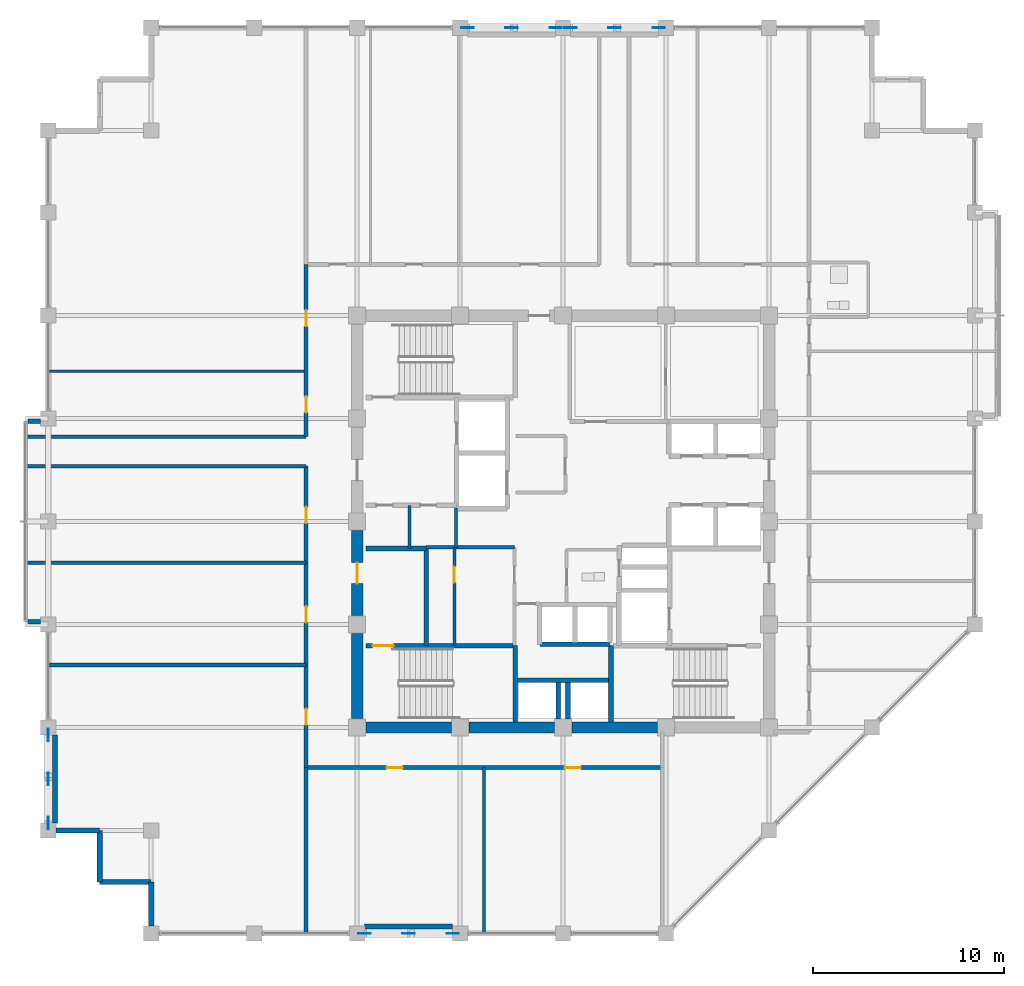
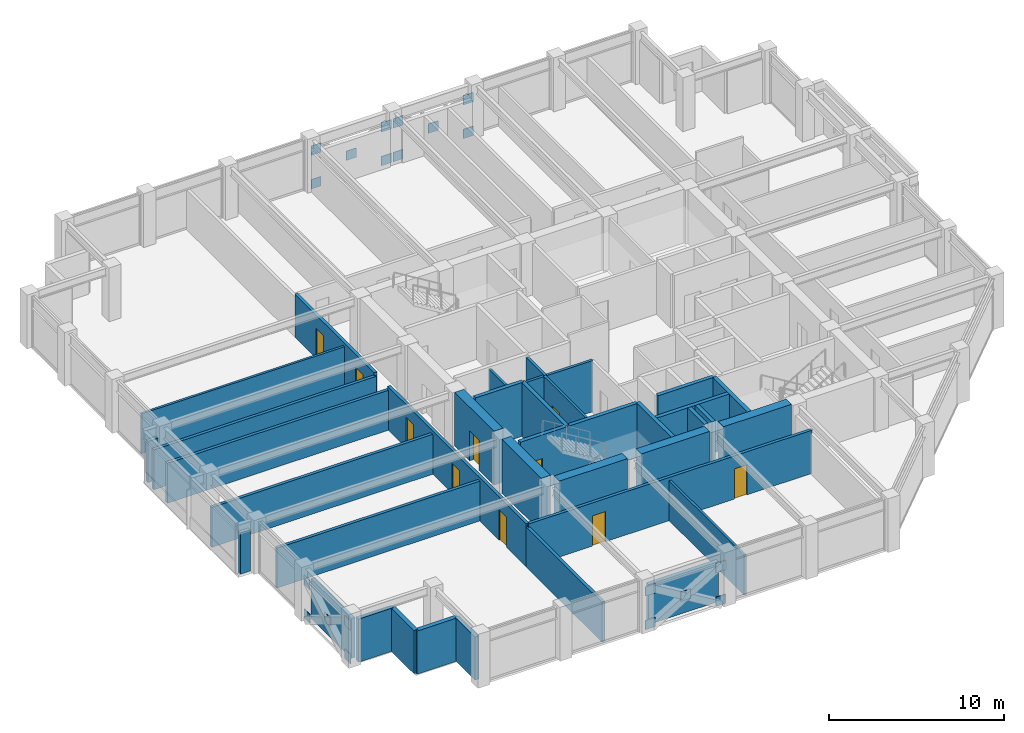
# One storey, part 26 of 32: 36 walls, 20 plates, 10 doors, 10 openings.
"""IFC4 building model written with IfcOpenShell, lengths in metres."""

from ifc_helpers import new_model, si_unit, direction, frame, frame_2d, origin, origin_2d, place, context, subcontext, project, spatial, rectangle, extrude, material, layer, layer_set, type_object, element, fill, save


model = new_model("IFC4")

# Units and contexts
model_context = context("Model", 3, precision=1e-05, world=origin(), true_north=direction((0.0, 1.0)))
body_context = subcontext(model_context, "Body", "Model", "MODEL_VIEW")
ifc_project = project(units=[si_unit("LENGTHUNIT", "METRE"), si_unit("AREAUNIT", "SQUARE_METRE"), si_unit("VOLUMEUNIT", "CUBIC_METRE"), si_unit("PLANEANGLEUNIT", "RADIAN"), si_unit("MASSUNIT", "GRAM", prefix="KILO")], contexts=[model_context])

# Site, building, storey
site_placement = place(None, origin())
site = spatial("IfcSite", under=ifc_project, at=site_placement, CompositionType="ELEMENT")
building_placement = place(site_placement, origin())
building = spatial("IfcBuilding", under=site, at=building_placement, Name="Surkhivell Harbour Commons", CompositionType="ELEMENT")
storey_placement = place(building_placement, frame((0.0, 0.0, 234.75)))
storey = spatial("IfcBuildingStorey", under=building, at=storey_placement, Name="L61", CompositionType="ELEMENT", Elevation=234.75)

# Plates
ifc_material_1 = material(Name="Steel S460", Category="steel")
ifc_layer_1 = layer(ifc_material_1, 0.044921875)
ifc_layer_set_1 = layer_set([ifc_layer_1], Name="Steel S460")
plate_type = type_object("IfcPlateType", Name="PLT-GUS-650", PredefinedType="USERDEFINED", material=ifc_layer_set_1)
for number, where, z_axis, x_axis, name in (
    (1, (-5.014892578125, 25.89990234375, -0.08935546875), (0.0, 0.0, 1.0), (1.0, 0.0, 0.0), "L61 Perimeter Mega-Brace MB- Corner Gusset N-1"),
    (2, (-0.385009765625, 25.89990234375, -0.08935546875), (0.0, 0.0, 1.0), (1.0, 0.0, 0.0), "L61 Perimeter Mega-Brace MB- Corner Gusset N-2"),
    (3, (-5.014892578125, 25.89990234375, 2.25146484375), (0.0, 0.0, 1.0), (1.0, 0.0, 0.0), "L61 Perimeter Mega-Brace MB- Corner Gusset N-3"),
    (4, (-0.385009765625, 25.89990234375, 2.25146484375), (0.0, 0.0, 1.0), (1.0, 0.0, 0.0), "L61 Perimeter Mega-Brace MB- Corner Gusset N-4"),
    (5, (-2.699951171875, 25.89990234375, 1.0810546875), (0.0, 0.0, 1.0), (1.0, 0.0, 0.0), "L61 Perimeter Mega-Brace MB- Central Crossing Gusset N"),
    (6, (0.385009765625, 25.89990234375, -0.08935546875), (0.0, 0.0, 1.0), (1.0, 0.0, 0.0), "L61 Perimeter Mega-Brace MB- Corner Gusset N2-1"),
    (7, (5.014892578125, 25.89990234375, -0.08935546875), (0.0, 0.0, 1.0), (1.0, 0.0, 0.0), "L61 Perimeter Mega-Brace MB- Corner Gusset N2-2"),
    (8, (0.385009765625, 25.89990234375, 2.25146484375), (0.0, 0.0, 1.0), (1.0, 0.0, 0.0), "L61 Perimeter Mega-Brace MB- Corner Gusset N2-3"),
    (9, (5.014892578125, 25.89990234375, 2.25146484375), (0.0, 0.0, 1.0), (1.0, 0.0, 0.0), "L61 Perimeter Mega-Brace MB- Corner Gusset N2-4"),
    (10, (2.699951171875, 25.89990234375, 1.0810546875), (0.0, 0.0, 1.0), (1.0, 0.0, 0.0), "L61 Perimeter Mega-Brace MB- Central Crossing Gusset N2"),
    (11, (-10.4150390625, -21.60009765625, -0.08935546875), (0.0, 0.0, 1.0), (1.0, 0.0, 0.0), "L61 Perimeter Mega-Brace MB- Corner Gusset S-1"),
    (12, (-5.784912109375, -21.60009765625, -0.08935546875), (0.0, 0.0, 1.0), (1.0, 0.0, 0.0), "L61 Perimeter Mega-Brace MB- Corner Gusset S-2"),
    (13, (-10.4150390625, -21.60009765625, 2.25146484375), (0.0, 0.0, 1.0), (1.0, 0.0, 0.0), "L61 Perimeter Mega-Brace MB- Corner Gusset S-3"),
    (14, (-5.784912109375, -21.60009765625, 2.25146484375), (0.0, 0.0, 1.0), (1.0, 0.0, 0.0), "L61 Perimeter Mega-Brace MB- Corner Gusset S-4"),
    (15, (-8.10009765625, -21.60009765625, 1.0810546875), (0.0, 0.0, 1.0), (1.0, 0.0, 0.0), "L61 Perimeter Mega-Brace MB- Central Crossing Gusset S"),
    (16, (-27.0, -15.81494140625, -0.08935546875), (0.0, 0.0, 1.0), (0.0, 1.0, 0.0), "L61 Perimeter Mega-Brace MB- Corner Gusset W-1"),
    (17, (-27.0, -11.18505859375, -0.08935546875), (0.0, 0.0, 1.0), (0.0, 1.0, 0.0), "L61 Perimeter Mega-Brace MB- Corner Gusset W-2"),
    (18, (-27.0, -15.81494140625, 2.25146484375), (0.0, 0.0, 1.0), (0.0, 1.0, 0.0), "L61 Perimeter Mega-Brace MB- Corner Gusset W-3"),
    (19, (-27.0, -11.18505859375, 2.25146484375), (0.0, 0.0, 1.0), (0.0, 1.0, 0.0), "L61 Perimeter Mega-Brace MB- Corner Gusset W-4"),
    (20, (-27.0, -13.5, 1.0810546875), (0.0, 0.0, 1.0), (0.0, 1.0, 0.0), "L61 Perimeter Mega-Brace MB- Central Crossing Gusset W"),
):
    element("IfcPlate", number, at=place(storey_placement, frame(where, z_axis=z_axis, x_axis=x_axis)), inside=storey, type_object=plate_type, Name=name, ObjectType="GUSSET_PLATE", PredefinedType="USERDEFINED", context=body_context, shape_type="SweptSolid", body=[
        extrude(rectangle(XDim=0.64990234375, YDim=0.044921875, at=origin_2d()), origin(), (0.0, 0.0, 1.0), 0.64990234375),
    ])

# Walls
ifc_material_2 = material(Name="Concrete C60/75", Category="concrete")
ifc_layer_2 = layer(ifc_material_2, 0.60009765625)
ifc_layer_set_2 = layer_set([ifc_layer_2], Name="Concrete C60/75")
wall_type_1 = type_object("IfcWallType", Name="WAL-CORE-600", PredefinedType="SHEAR", material=ifc_layer_set_2)
for number, where, z_axis, x_axis, name in (
    (21, (-10.340087890625, -10.800048828125, 0.0), (0.0, 0.0, 1.0), (1.0, 0.0, 0.0), "L61 Core Shear Wall South 1"),
    (22, (-10.800048828125, -10.340087890625, 0.0), (0.0, 0.0, 1.0), (0.0, 1.0, 0.0), "L61 Core Shear Wall West 1"),
    (23, (-4.93994140625, -10.800048828125, 0.0), (0.0, 0.0, 1.0), (1.0, 0.0, 0.0), "L61 Core Shear Wall South 2"),
):
    element("IfcWall", number, at=place(storey_placement, frame(where, z_axis=z_axis, x_axis=x_axis)), inside=storey, type_object=wall_type_1, Name=name, PredefinedType="SHEAR", context=body_context, shape_type="SweptSolid", body=[
        extrude(rectangle(XDim=4.47998046875, YDim=0.60009765625, at=frame_2d((2.239990234375, 0.0))), origin(), (0.0, 0.0, 1.0), 3.75),
    ])

# Wall, opening, door
wall_1_placement = place(storey_placement, frame((-10.800048828125, -4.93994140625, 0.0), z_axis=(0.0, 0.0, 1.0), x_axis=(0.0, 1.0, 0.0)))
wall_1 = element("IfcWall", 24, at=wall_1_placement, inside=storey, type_object=wall_type_1, Name="L61 Core Shear Wall West 2", PredefinedType="SHEAR", context=body_context, shape_type="SweptSolid", body=[
    extrude(rectangle(XDim=4.47998046875, YDim=0.60009765625, at=frame_2d((2.239990234375, 0.0))), origin(), (0.0, 0.0, 1.0), 3.75),
])
opening_1_placement = place(wall_1_placement, frame((1.68994140625, 0.0, 0.0)))
opening_1 = element("IfcOpeningElement", 25, at=opening_1_placement, cuts=wall_1, Name="Opening ID-2", PredefinedType="OPENING", context=body_context, shape_type="SweptSolid", body=[
    extrude(rectangle(XDim=1.10009765625, YDim=2.10009765625, at=frame_2d((0.550048828125, 1.050048828125))), frame((0.0, 0.31005859375, 0.0), z_axis=(0.0, -1.0, 0.0), x_axis=(1.0, 0.0, 0.0)), (0.0, 0.0, 1.0), 0.6201171875),
])
ifc_material_3 = material(Name="Hardwood-veneered fire-rated door leaf", Category="wood")
door_type_1 = type_object("IfcDoorType", Name="DOR-FD60-1100", OperationType="NOTDEFINED", PredefinedType="DOOR", material=ifc_material_3)
door_1_placement = place(opening_1_placement, origin())
door_1 = element("IfcDoor", 26, at=door_1_placement, inside=storey, type_object=door_type_1, Name="L61 Stair 3 Lobby Corridor Door", OperationType="SINGLE_SWING_LEFT", OverallHeight=2.10009765625, OverallWidth=1.10009765625, PredefinedType="DOOR", context=body_context, shape_type="SweptSolid", body=[
    extrude(rectangle(XDim=1.10009765625, YDim=2.10009765625, at=frame_2d((0.550048828125, 1.050048828125))), frame((0.0, 0.02490234375, 0.0), z_axis=(0.0, -1.0, 0.0), x_axis=(1.0, 0.0, 0.0)), (0.0, 0.0, 1.0), 0.050048828125),
])
fill(opening_1, door_1)

# Walls
wall_2_placement = place(storey_placement, frame((0.4599609375, -10.800048828125, 0.0), z_axis=(0.0, 0.0, 1.0), x_axis=(1.0, 0.0, 0.0)))
element("IfcWall", 27, at=wall_2_placement, inside=storey, type_object=wall_type_1, Name="L61 Core Shear Wall South 3", PredefinedType="SHEAR", context=body_context, shape_type="SweptSolid", body=[
    extrude(rectangle(XDim=4.47998046875, YDim=0.60009765625, at=frame_2d((2.239990234375, 0.0))), origin(), (0.0, 0.0, 1.0), 3.75),
])
ifc_material_4 = material(Name="Pale-metal insulated precast concrete C45/55", Category="concrete")
ifc_layer_3 = layer(ifc_material_4, 0.260009765625)
ifc_layer_set_3 = layer_set([ifc_layer_3], Name="Pale-metal insulated precast concrete C45/55")
wall_type_2 = type_object("IfcWallType", Name="WAL-EXT-MTL260", PredefinedType="STANDARD", material=ifc_layer_set_3)
for number, where, z_axis, x_axis, name in (
    (28, (-10.402099609375, -21.239990234375, 0.0), (0.0, 0.0, 1.0), (1.0, 0.0, 0.0), "L61 Braced-Bay Insulated Spandrel Backing S"),
    (29, (-26.639892578125, -15.802001953125, 0.0), (0.0, 0.0, 1.0), (0.0, 1.0, 0.0), "L61 Braced-Bay Insulated Spandrel Backing W"),
):
    element("IfcWall", number, at=place(storey_placement, frame(where, z_axis=z_axis, x_axis=x_axis)), inside=storey, type_object=wall_type_2, Name=name, PredefinedType="STANDARD", context=body_context, shape_type="SweptSolid", body=[
        extrude(rectangle(XDim=4.60400390625, YDim=0.260009765625, at=frame_2d((2.302001953125, 0.0))), origin(), (0.0, 0.0, 1.0), 2.780029296875),
    ])
ifc_material_5 = material(Name="Bronze-ochre cassette precast concrete C45/55", Category="concrete")
ifc_layer_4 = layer(ifc_material_5, 0.239990234375)
ifc_layer_set_4 = layer_set([ifc_layer_4], Name="Bronze-ochre cassette precast concrete C45/55")
wall_type_3 = type_object("IfcWallType", Name="WAL-EXT-OCH240", PredefinedType="STANDARD", material=ifc_layer_set_4)
for number, where, z_axis, x_axis, name in (
    (30, (-28.06005859375, -5.260009765625, 0.0), (0.0, 0.0, 1.0), (1.0, 0.0, 0.0), "L61 Coloured Box Return Wall 02S"),
    (31, (-28.06005859375, 5.260009765625, 0.0), (0.0, 0.0, 1.0), (1.0, 0.0, 0.0), "L61 Coloured Box Return Wall 02N"),
):
    element("IfcWall", number, at=place(storey_placement, frame(where, z_axis=z_axis, x_axis=x_axis)), inside=storey, type_object=wall_type_3, Name=name, PredefinedType="STANDARD", context=body_context, shape_type="SweptSolid", body=[
        extrude(rectangle(XDim=0.656005859375, YDim=0.239990234375, at=frame_2d((0.328125, 0.0))), origin(), (0.0, 0.0, 1.0), 2.85693359375),
    ])
ifc_material_6 = material(Name="Terracotta-clad reinforced concrete C45/55", Category="masonry")
ifc_layer_5 = layer(ifc_material_6, 0.280029296875)
ifc_layer_set_5 = layer_set([ifc_layer_5], Name="Terracotta-clad reinforced concrete C45/55")
wall_type_4 = type_object("IfcWallType", Name="WAL-EXT-TER280", PredefinedType="STANDARD", material=ifc_layer_set_5)
wall_3_placement = place(storey_placement, frame((-26.60205078125, -16.199951171875, 0.0), z_axis=(0.0, 0.0, 1.0), x_axis=(1.0, 0.0, 0.0)))
element("IfcWall", 32, at=wall_3_placement, inside=storey, type_object=wall_type_4, Name="L61 Serrated Corner Facade Wall 13", PredefinedType="STANDARD", context=body_context, shape_type="SweptSolid", body=[
    extrude(rectangle(XDim=2.302001953125, YDim=0.280029296875, at=frame_2d((1.15087890625, 0.0))), origin(), (0.0, 0.0, 1.0), 3.006103515625),
])
for number, where, z_axis, x_axis, name in (
    (33, (-24.300048828125, -16.199951171875, 0.0), (0.0, 0.0, 1.0), (0.0, -1.0, 0.0), "L61 Serrated Corner Facade Wall 14"),
    (34, (-24.300048828125, -18.89990234375, 0.0), (0.0, 0.0, 1.0), (1.0, 0.0, 0.0), "L61 Serrated Corner Facade Wall 15"),
):
    element("IfcWall", number, at=place(storey_placement, frame(where, z_axis=z_axis, x_axis=x_axis)), inside=storey, type_object=wall_type_4, Name=name, PredefinedType="STANDARD", context=body_context, shape_type="SweptSolid", body=[
        extrude(rectangle(XDim=2.699951171875, YDim=0.280029296875, at=frame_2d((1.35009765625, 0.0))), origin(), (0.0, 0.0, 1.0), 3.006103515625),
    ])
wall_4_placement = place(storey_placement, frame((-21.60009765625, -18.89990234375, 0.0), z_axis=(0.0, 0.0, 1.0), x_axis=(0.0, -1.0, 0.0)))
element("IfcWall", 35, at=wall_4_placement, inside=storey, type_object=wall_type_4, Name="L61 Serrated Corner Facade Wall 16", PredefinedType="STANDARD", context=body_context, shape_type="SweptSolid", body=[
    extrude(rectangle(XDim=2.302001953125, YDim=0.280029296875, at=frame_2d((1.15087890625, 0.0))), origin(), (0.0, 0.0, 1.0), 3.006103515625),
])

# Wall, opening, door
ifc_material_7 = material(Name="Twin-stud acoustic fireboard partition", Category="other")
ifc_layer_6 = layer(ifc_material_7, 0.14990234375)
ifc_layer_set_6 = layer_set([ifc_layer_6], Name="Twin-stud acoustic fireboard partition")
wall_type_5 = type_object("IfcWallType", Name="WAL-INT-150", PredefinedType="PARTITIONING", material=ifc_layer_set_6)
wall_5_placement = place(storey_placement, frame((-5.699951171875, -6.510009765625, 0.0), z_axis=(0.0, 0.0, 1.0), x_axis=(0.0, 1.0, 0.0)))
wall_5 = element("IfcWall", 36, at=wall_5_placement, inside=storey, type_object=wall_type_5, Name="L61 Core Cut B Partition", PredefinedType="PARTITIONING", context=body_context, shape_type="SweptSolid", body=[
    extrude(rectangle(XDim=5.159912109375, YDim=0.14990234375, at=frame_2d((2.580078125, 0.0))), origin(), (0.0, 0.0, 1.0), 3.570068359375),
])
opening_2_placement = place(wall_5_placement, frame((3.300048828125, 0.0, 0.0)))
opening_2 = element("IfcOpeningElement", 37, at=opening_2_placement, cuts=wall_5, Name="Opening ID-6", PredefinedType="OPENING", context=body_context, shape_type="SweptSolid", body=[
    extrude(rectangle(XDim=0.85009765625, YDim=2.10009765625, at=frame_2d((0.425048828125, 1.050048828125))), frame((0.0, 0.0849609375, 0.0), z_axis=(0.0, -1.0, 0.0), x_axis=(1.0, 0.0, 0.0)), (0.0, 0.0, 1.0), 0.169921875),
])
door_type_2 = type_object("IfcDoorType", Name="DOR-FD30-850", OperationType="NOTDEFINED", PredefinedType="DOOR", material=ifc_material_3)
door_2_placement = place(opening_2_placement, origin())
door_2 = element("IfcDoor", 38, at=door_2_placement, inside=storey, type_object=door_type_2, Name="L61 Core Focus Study Door", OperationType="SINGLE_SWING_RIGHT", OverallHeight=2.10009765625, OverallWidth=0.85009765625, PredefinedType="DOOR", context=body_context, shape_type="SweptSolid", body=[
    extrude(rectangle(XDim=0.85009765625, YDim=2.10009765625, at=frame_2d((0.425048828125, 1.050048828125))), frame((0.0, 0.02490234375, 0.0), z_axis=(0.0, -1.0, 0.0), x_axis=(1.0, 0.0, 0.0)), (0.0, 0.0, 1.0), 0.050048828125),
])
fill(opening_2, door_2)

# Walls
wall_6_placement = place(storey_placement, frame((-8.050048828125, -1.419921875, 0.0), z_axis=(0.0, 0.0, 1.0), x_axis=(0.0, 1.0, 0.0)))
element("IfcWall", 39, at=wall_6_placement, inside=storey, type_object=wall_type_5, Name="L61 West Seminar Booth Divider", PredefinedType="PARTITIONING", context=body_context, shape_type="SweptSolid", body=[
    extrude(rectangle(XDim=2.27001953125, YDim=0.14990234375, at=frame_2d((1.135009765625, 0.0))), origin(), (0.0, 0.0, 1.0), 3.570068359375),
])
wall_7_placement = place(storey_placement, frame((-4.139892578125, -21.5400390625, 0.0), z_axis=(0.0, 0.0, 1.0), x_axis=(0.0, 1.0, 0.0)))
element("IfcWall", 40, at=wall_7_placement, inside=storey, type_object=wall_type_5, Name="L61 South Partition P1", PredefinedType="PARTITIONING", context=body_context, shape_type="SweptSolid", body=[
    extrude(rectangle(XDim=8.64013671875, YDim=0.14990234375, at=frame_2d((4.320068359375, 0.0))), origin(), (0.0, 0.0, 1.0), 2.780029296875),
])
wall_8_placement = place(storey_placement, frame((-26.93994140625, 7.8798828125, 0.0), z_axis=(0.0, 0.0, 1.0), x_axis=(1.0, 0.0, 0.0)))
element("IfcWall", 41, at=wall_8_placement, inside=storey, type_object=wall_type_5, Name="L61 North-West Partition P1", PredefinedType="PARTITIONING", context=body_context, shape_type="SweptSolid", body=[
    extrude(rectangle(XDim=13.4599609375, YDim=0.14990234375, at=frame_2d((6.72998046875, 0.0))), origin(), (0.0, 0.0, 1.0), 2.780029296875),
])
ifc_material_8 = material(Name="High-density acoustic blockwork fire partition", Category="masonry")
ifc_layer_7 = layer(ifc_material_8, 0.175048828125)
ifc_layer_set_7 = layer_set([ifc_layer_7], Name="High-density acoustic blockwork fire partition")
wall_type_6 = type_object("IfcWallType", Name="WAL-INT-175", PredefinedType="PARTITIONING", material=ifc_layer_set_7)
wall_9_placement = place(storey_placement, frame((-7.179931640625, -1.35009765625, 0.0), z_axis=(0.0, 0.0, 1.0), x_axis=(1.0, 0.0, 0.0)))
element("IfcWall", 42, at=wall_9_placement, inside=storey, type_object=wall_type_6, Name="L61 Core Service Bay North Wall", PredefinedType="PARTITIONING", context=body_context, shape_type="SweptSolid", body=[
    extrude(rectangle(XDim=4.6298828125, YDim=0.175048828125, at=frame_2d((2.31494140625, 0.0))), origin(), (0.0, 0.0, 1.0), 3.570068359375),
])
wall_10_placement = place(storey_placement, frame((-5.6201171875, -1.35009765625, 0.0), z_axis=(0.0, 0.0, 1.0), x_axis=(0.0, 1.0, 0.0)))
element("IfcWall", 43, at=wall_10_placement, inside=storey, type_object=wall_type_6, Name="L61 West Core Bay East Wall", PredefinedType="PARTITIONING", context=body_context, shape_type="SweptSolid", body=[
    extrude(rectangle(XDim=2.070068359375, YDim=0.175048828125, at=frame_2d((1.03515625, 0.0))), origin(), (0.0, 0.0, 1.0), 3.570068359375),
])
ifc_material_9 = material(Name="Autoclaved aerated concrete blockwork and fire plaster", Category="masonry")
ifc_layer_8 = layer(ifc_material_9, 0.199951171875)
ifc_layer_set_8 = layer_set([ifc_layer_8], Name="Autoclaved aerated concrete blockwork and fire plaster")
wall_type_7 = type_object("IfcWallType", Name="WAL-INT-200", PredefinedType="PARTITIONING", material=ifc_layer_set_8)
wall_11_placement = place(storey_placement, frame((-13.47998046875, -21.5400390625, 0.0), z_axis=(0.0, 0.0, 1.0), x_axis=(0.0, 1.0, 0.0)))
element("IfcWall", 44, at=wall_11_placement, inside=storey, type_object=wall_type_7, Name="L61 South-West Corner Wall", PredefinedType="PARTITIONING", context=body_context, shape_type="SweptSolid", body=[
    extrude(rectangle(XDim=8.64013671875, YDim=0.199951171875, at=frame_2d((4.320068359375, 0.0))), origin(), (0.0, 0.0, 1.0), 2.780029296875),
])

# Wall, openings, doors
wall_12_placement = place(storey_placement, frame((-13.47998046875, -12.89990234375, 0.0), z_axis=(0.0, 0.0, 1.0), x_axis=(1.0, 0.0, 0.0)))
wall_12 = element("IfcWall", 45, at=wall_12_placement, inside=storey, type_object=wall_type_7, Name="L61 Corridor South Wall", PredefinedType="PARTITIONING", context=body_context, shape_type="SweptSolid", body=[
    extrude(rectangle(XDim=18.679931640625, YDim=0.199951171875, at=frame_2d((9.33984375, 0.0))), origin(), (0.0, 0.0, 1.0), 3.006103515625),
])
opening_3_placement = place(wall_12_placement, frame((4.219970703125, 0.0, 0.0)))
opening_3 = element("IfcOpeningElement", 46, at=opening_3_placement, cuts=wall_12, Name="Opening ID-6", PredefinedType="OPENING", context=body_context, shape_type="SweptSolid", body=[
    extrude(rectangle(XDim=0.85009765625, YDim=2.10009765625, at=frame_2d((0.425048828125, 1.050048828125))), frame((0.0, 0.10986328125, 0.0), z_axis=(0.0, -1.0, 0.0), x_axis=(1.0, 0.0, 0.0)), (0.0, 0.0, 1.0), 0.219970703125),
])
opening_4_placement = place(wall_12_placement, frame((13.56005859375, 0.0, 0.0)))
opening_4 = element("IfcOpeningElement", 47, at=opening_4_placement, cuts=wall_12, Name="Opening ID-6", PredefinedType="OPENING", context=body_context, shape_type="SweptSolid", body=[
    extrude(rectangle(XDim=0.85009765625, YDim=2.10009765625, at=frame_2d((0.425048828125, 1.050048828125))), frame((0.0, 0.10986328125, 0.0), z_axis=(0.0, -1.0, 0.0), x_axis=(1.0, 0.0, 0.0)), (0.0, 0.0, 1.0), 0.219970703125),
])
door_3_placement = place(opening_3_placement, origin())
door_3 = element("IfcDoor", 48, at=door_3_placement, inside=storey, type_object=door_type_2, Name="L61 Campus Co-Op Bookshop South Door", OperationType="SINGLE_SWING_LEFT", OverallHeight=2.10009765625, OverallWidth=0.85009765625, PredefinedType="DOOR", context=body_context, shape_type="SweptSolid", body=[
    extrude(rectangle(XDim=0.85009765625, YDim=2.10009765625, at=frame_2d((0.425048828125, 1.050048828125))), frame((0.0, 0.02490234375, 0.0), z_axis=(0.0, -1.0, 0.0), x_axis=(1.0, 0.0, 0.0)), (0.0, 0.0, 1.0), 0.050048828125),
])
fill(opening_3, door_3)
door_4_placement = place(opening_4_placement, origin())
door_4 = element("IfcDoor", 49, at=door_4_placement, inside=storey, type_object=door_type_2, Name="L61 Harbour Espresso Cafe Shop South Door", OperationType="SINGLE_SWING_RIGHT", OverallHeight=2.10009765625, OverallWidth=0.85009765625, PredefinedType="DOOR", context=body_context, shape_type="SweptSolid", body=[
    extrude(rectangle(XDim=0.85009765625, YDim=2.10009765625, at=frame_2d((0.425048828125, 1.050048828125))), frame((0.0, 0.02490234375, 0.0), z_axis=(0.0, -1.0, 0.0), x_axis=(1.0, 0.0, 0.0)), (0.0, 0.0, 1.0), 0.050048828125),
])
fill(opening_4, door_4)

# Walls
for number, where, z_axis, x_axis, name in (
    (50, (-28.139892578125, 4.449951171875, 0.0), (0.0, 0.0, 1.0), (1.0, 0.0, 0.0), "L61 West Spur North Wall"),
    (51, (-28.139892578125, 2.89990234375, 0.0), (0.0, 0.0, 1.0), (1.0, 0.0, 0.0), "L61 West Spur South Wall"),
):
    element("IfcWall", number, at=place(storey_placement, frame(where, z_axis=z_axis, x_axis=x_axis)), inside=storey, type_object=wall_type_7, Name=name, PredefinedType="PARTITIONING", context=body_context, shape_type="SweptSolid", body=[
        extrude(rectangle(XDim=14.659912109375, YDim=0.199951171875, at=frame_2d((7.330078125, 0.0))), origin(), (0.0, 0.0, 1.0), 2.780029296875),
    ])

# Wall, openings, doors
wall_13_placement = place(storey_placement, frame((-13.47998046875, 4.449951171875, 0.0), z_axis=(0.0, 0.0, 1.0), x_axis=(0.0, 1.0, 0.0)))
wall_13 = element("IfcWall", 52, at=wall_13_placement, inside=storey, type_object=wall_type_7, Name="L61 Corridor West-Upper Wall", PredefinedType="PARTITIONING", context=body_context, shape_type="SweptSolid", body=[
    extrude(rectangle(XDim=9.030029296875, YDim=0.199951171875, at=frame_2d((4.51513671875, 0.0))), origin(), (0.0, 0.0, 1.0), 3.006103515625),
])
opening_5_placement = place(wall_13_placement, frame((1.264892578125, 0.0, 0.0)))
opening_5 = element("IfcOpeningElement", 53, at=opening_5_placement, cuts=wall_13, Name="Opening ID-6", PredefinedType="OPENING", context=body_context, shape_type="SweptSolid", body=[
    extrude(rectangle(XDim=0.85009765625, YDim=2.10009765625, at=frame_2d((0.425048828125, 1.050048828125))), frame((0.0, 0.10986328125, 0.0), z_axis=(0.0, -1.0, 0.0), x_axis=(1.0, 0.0, 0.0)), (0.0, 0.0, 1.0), 0.219970703125),
])
opening_6_placement = place(wall_13_placement, frame((5.780029296875, 0.0, 0.0)))
opening_6 = element("IfcOpeningElement", 54, at=opening_6_placement, cuts=wall_13, Name="Opening ID-6", PredefinedType="OPENING", context=body_context, shape_type="SweptSolid", body=[
    extrude(rectangle(XDim=0.85009765625, YDim=2.10009765625, at=frame_2d((0.425048828125, 1.050048828125))), frame((0.0, 0.10986328125, 0.0), z_axis=(0.0, -1.0, 0.0), x_axis=(1.0, 0.0, 0.0)), (0.0, 0.0, 1.0), 0.219970703125),
])
door_5_placement = place(opening_5_placement, origin())
door_5 = element("IfcDoor", 55, at=door_5_placement, inside=storey, type_object=door_type_2, Name="L61 Harbour Reading Library North-West Door", OperationType="SINGLE_SWING_LEFT", OverallHeight=2.10009765625, OverallWidth=0.85009765625, PredefinedType="DOOR", context=body_context, shape_type="SweptSolid", body=[
    extrude(rectangle(XDim=0.85009765625, YDim=2.10009765625, at=frame_2d((0.425048828125, 1.050048828125))), frame((0.0, 0.02490234375, 0.0), z_axis=(0.0, -1.0, 0.0), x_axis=(1.0, 0.0, 0.0)), (0.0, 0.0, 1.0), 0.050048828125),
])
fill(opening_5, door_5)
door_6_placement = place(opening_6_placement, origin())
door_6 = element("IfcDoor", 56, at=door_6_placement, inside=storey, type_object=door_type_2, Name="L61 Communal Dining Hall North-West Door", OperationType="SINGLE_SWING_RIGHT", OverallHeight=2.10009765625, OverallWidth=0.85009765625, PredefinedType="DOOR", context=body_context, shape_type="SweptSolid", body=[
    extrude(rectangle(XDim=0.85009765625, YDim=2.10009765625, at=frame_2d((0.425048828125, 1.050048828125))), frame((0.0, 0.02490234375, 0.0), z_axis=(0.0, -1.0, 0.0), x_axis=(1.0, 0.0, 0.0)), (0.0, 0.0, 1.0), 0.050048828125),
])
fill(opening_6, door_6)

wall_14_placement = place(storey_placement, frame((-13.47998046875, -12.89990234375, 0.0), z_axis=(0.0, 0.0, 1.0), x_axis=(0.0, 1.0, 0.0)))
wall_14 = element("IfcWall", 57, at=wall_14_placement, inside=storey, type_object=wall_type_7, Name="L61 Corridor West-Lower Wall", PredefinedType="PARTITIONING", context=body_context, shape_type="SweptSolid", body=[
    extrude(rectangle(XDim=15.7998046875, YDim=0.199951171875, at=frame_2d((7.89990234375, 0.0))), origin(), (0.0, 0.0, 1.0), 3.006103515625),
])
opening_7_placement = place(wall_14_placement, frame((2.235107421875, 0.0, 0.0)))
opening_7 = element("IfcOpeningElement", 58, at=opening_7_placement, cuts=wall_14, Name="Opening ID-6", PredefinedType="OPENING", context=body_context, shape_type="SweptSolid", body=[
    extrude(rectangle(XDim=0.85009765625, YDim=2.10009765625, at=frame_2d((0.425048828125, 1.050048828125))), frame((0.0, 0.10986328125, 0.0), z_axis=(0.0, -1.0, 0.0), x_axis=(1.0, 0.0, 0.0)), (0.0, 0.0, 1.0), 0.219970703125),
])
opening_8_placement = place(wall_14_placement, frame((7.60498046875, 0.0, 0.0)))
opening_8 = element("IfcOpeningElement", 59, at=opening_8_placement, cuts=wall_14, Name="Opening ID-6", PredefinedType="OPENING", context=body_context, shape_type="SweptSolid", body=[
    extrude(rectangle(XDim=0.85009765625, YDim=2.10009765625, at=frame_2d((0.425048828125, 1.050048828125))), frame((0.0, 0.10986328125, 0.0), z_axis=(0.0, -1.0, 0.0), x_axis=(1.0, 0.0, 0.0)), (0.0, 0.0, 1.0), 0.219970703125),
])
opening_9_placement = place(wall_14_placement, frame((12.820068359375, 0.0, 0.0)))
opening_9 = element("IfcOpeningElement", 60, at=opening_9_placement, cuts=wall_14, Name="Opening ID-6", PredefinedType="OPENING", context=body_context, shape_type="SweptSolid", body=[
    extrude(rectangle(XDim=0.85009765625, YDim=2.10009765625, at=frame_2d((0.425048828125, 1.050048828125))), frame((0.0, 0.10986328125, 0.0), z_axis=(0.0, -1.0, 0.0), x_axis=(1.0, 0.0, 0.0)), (0.0, 0.0, 1.0), 0.219970703125),
])
door_7_placement = place(opening_7_placement, origin())
door_7 = element("IfcDoor", 61, at=door_7_placement, inside=storey, type_object=door_type_2, Name="L61 Academic Seminar Room 1 South-West Door", OperationType="SINGLE_SWING_LEFT", OverallHeight=2.10009765625, OverallWidth=0.85009765625, PredefinedType="DOOR", context=body_context, shape_type="SweptSolid", body=[
    extrude(rectangle(XDim=0.85009765625, YDim=2.10009765625, at=frame_2d((0.425048828125, 1.050048828125))), frame((0.0, 0.02490234375, 0.0), z_axis=(0.0, -1.0, 0.0), x_axis=(1.0, 0.0, 0.0)), (0.0, 0.0, 1.0), 0.050048828125),
])
fill(opening_7, door_7)
door_8_placement = place(opening_8_placement, origin())
door_8 = element("IfcDoor", 62, at=door_8_placement, inside=storey, type_object=door_type_2, Name="L61 Academic Seminar Room 2 South-West Door", OperationType="SINGLE_SWING_RIGHT", OverallHeight=2.10009765625, OverallWidth=0.85009765625, PredefinedType="DOOR", context=body_context, shape_type="SweptSolid", body=[
    extrude(rectangle(XDim=0.85009765625, YDim=2.10009765625, at=frame_2d((0.425048828125, 1.050048828125))), frame((0.0, 0.02490234375, 0.0), z_axis=(0.0, -1.0, 0.0), x_axis=(1.0, 0.0, 0.0)), (0.0, 0.0, 1.0), 0.050048828125),
])
fill(opening_8, door_8)
door_9_placement = place(opening_9_placement, origin())
door_9 = element("IfcDoor", 63, at=door_9_placement, inside=storey, type_object=door_type_2, Name="L61 Academic Seminar Room 3 South-West Door", OperationType="SINGLE_SWING_LEFT", OverallHeight=2.10009765625, OverallWidth=0.85009765625, PredefinedType="DOOR", context=body_context, shape_type="SweptSolid", body=[
    extrude(rectangle(XDim=0.85009765625, YDim=2.10009765625, at=frame_2d((0.425048828125, 1.050048828125))), frame((0.0, 0.02490234375, 0.0), z_axis=(0.0, -1.0, 0.0), x_axis=(1.0, 0.0, 0.0)), (0.0, 0.0, 1.0), 0.050048828125),
])
fill(opening_9, door_9)

# Walls
wall_15_placement = place(storey_placement, frame((-26.93994140625, -7.530029296875, 0.0), z_axis=(0.0, 0.0, 1.0), x_axis=(1.0, 0.0, 0.0)))
element("IfcWall", 64, at=wall_15_placement, inside=storey, type_object=wall_type_7, Name="L61 South-West Partition P1", PredefinedType="PARTITIONING", context=body_context, shape_type="SweptSolid", body=[
    extrude(rectangle(XDim=13.4599609375, YDim=0.199951171875, at=frame_2d((6.72998046875, 0.0))), origin(), (0.0, 0.0, 1.0), 2.780029296875),
])
wall_16_placement = place(storey_placement, frame((-28.139892578125, -2.159912109375, 0.0), z_axis=(0.0, 0.0, 1.0), x_axis=(1.0, 0.0, 0.0)))
element("IfcWall", 65, at=wall_16_placement, inside=storey, type_object=wall_type_7, Name="L61 South-West Partition P2", PredefinedType="PARTITIONING", context=body_context, shape_type="SweptSolid", body=[
    extrude(rectangle(XDim=14.659912109375, YDim=0.199951171875, at=frame_2d((7.330078125, 0.0))), origin(), (0.0, 0.0, 1.0), 2.780029296875),
])
ifc_material_10 = material(Name="Concrete C50/60", Category="concrete")
ifc_layer_9 = layer(ifc_material_10, 0.25)
ifc_layer_set_9 = layer_set([ifc_layer_9], Name="Concrete C50/60")
wall_type_8 = type_object("IfcWallType", Name="WAL-SHAFT-250", PredefinedType="SHEAR", material=ifc_layer_set_9)
for number, where, z_axis, x_axis, name in (
    (66, (-0.25, -10.35009765625, 0.0), (0.0, 0.0, 1.0), (0.0, 1.0, 0.0), "L61 High-Rise Side Wall S"),
    (67, (0.25, -10.35009765625, 0.0), (0.0, 0.0, 1.0), (0.0, 1.0, 0.0), "L61 High-Rise Side Wall S"),
):
    element("IfcWall", number, at=place(storey_placement, frame(where, z_axis=z_axis, x_axis=x_axis)), inside=storey, type_object=wall_type_8, Name=name, PredefinedType="SHEAR", context=body_context, shape_type="SweptSolid", body=[
        extrude(rectangle(XDim=1.91015625, YDim=0.25, at=frame_2d((0.955078125, 0.0))), origin(), (0.0, 0.0, 1.0), 3.75),
    ])
wall_17_placement = place(storey_placement, frame((-1.219970703125, -6.43994140625, 0.0), z_axis=(0.0, 0.0, 1.0), x_axis=(1.0, 0.0, 0.0)))
element("IfcWall", 68, at=wall_17_placement, inside=storey, type_object=wall_type_8, Name="L61 High-Rise North Front Shaft Wall", PredefinedType="SHEAR", context=body_context, shape_type="SweptSolid", body=[
    extrude(rectangle(XDim=3.669921875, YDim=0.25, at=frame_2d((1.8349609375, 0.0))), origin(), (0.0, 0.0, 1.0), 3.75),
])
wall_18_placement = place(storey_placement, frame((-2.47998046875, -8.320068359375, 0.0), z_axis=(0.0, 0.0, 1.0), x_axis=(1.0, 0.0, 0.0)))
element("IfcWall", 69, at=wall_18_placement, inside=storey, type_object=wall_type_8, Name="L61 High-Rise South Front Shaft Wall", PredefinedType="SHEAR", context=body_context, shape_type="SweptSolid", body=[
    extrude(rectangle(XDim=4.929931640625, YDim=0.25, at=frame_2d((2.46484375, 0.0))), origin(), (0.0, 0.0, 1.0), 3.75),
])
for number, where, z_axis, x_axis, name in (
    (70, (2.510009765625, -10.5, 0.0), (0.0, 0.0, 1.0), (0.0, 1.0, 0.0), "L61 Stair ST2 West Shear Wall"),
    (71, (-2.510009765625, -10.5, 0.0), (0.0, 0.0, 1.0), (0.0, 1.0, 0.0), "L61 Stair ST3 East Shear Wall"),
):
    element("IfcWall", number, at=place(storey_placement, frame(where, z_axis=z_axis, x_axis=x_axis)), inside=storey, type_object=wall_type_8, Name=name, PredefinedType="SHEAR", context=body_context, shape_type="SweptSolid", body=[
        extrude(rectangle(XDim=3.989990234375, YDim=0.25, at=frame_2d((1.9951171875, 0.0))), origin(), (0.0, 0.0, 1.0), 3.75),
    ])
wall_19_placement = place(storey_placement, frame((-7.179931640625, -6.510009765625, 0.0), z_axis=(0.0, 0.0, 1.0), x_axis=(0.0, 1.0, 0.0)))
element("IfcWall", 72, at=wall_19_placement, inside=storey, type_object=wall_type_8, Name="L61 Stair 3 Lobby East Wall", PredefinedType="SHEAR", context=body_context, shape_type="SweptSolid", body=[
    extrude(rectangle(XDim=5.090087890625, YDim=0.25, at=frame_2d((2.544921875, 0.0))), origin(), (0.0, 0.0, 1.0), 3.75),
])
wall_20_placement = place(storey_placement, frame((-10.340087890625, -1.419921875, 0.0), z_axis=(0.0, 0.0, 1.0), x_axis=(1.0, 0.0, 0.0)))
element("IfcWall", 73, at=wall_20_placement, inside=storey, type_object=wall_type_8, Name="L61 Stair 3 Lobby North Wall", PredefinedType="SHEAR", context=body_context, shape_type="SweptSolid", body=[
    extrude(rectangle(XDim=3.16015625, YDim=0.25, at=frame_2d((1.580078125, 0.0))), origin(), (0.0, 0.0, 1.0), 3.75),
])

# Wall, opening, door
wall_21_placement = place(storey_placement, frame((-10.340087890625, -6.510009765625, 0.0), z_axis=(0.0, 0.0, 1.0), x_axis=(1.0, 0.0, 0.0)))
wall_21 = element("IfcWall", 74, at=wall_21_placement, inside=storey, type_object=wall_type_8, Name="L61 Stair ST3 North Shear Wall", PredefinedType="SHEAR", context=body_context, shape_type="SweptSolid", body=[
    extrude(rectangle(XDim=7.7001953125, YDim=0.25, at=frame_2d((3.85009765625, 0.0))), origin(), (0.0, 0.0, 1.0), 3.75),
])
opening_10_placement = place(wall_21_placement, frame((0.35009765625, 0.0, 0.0)))
opening_10 = element("IfcOpeningElement", 75, at=opening_10_placement, cuts=wall_21, Name="Opening ID-2", PredefinedType="OPENING", context=body_context, shape_type="SweptSolid", body=[
    extrude(rectangle(XDim=1.10009765625, YDim=2.10009765625, at=frame_2d((0.550048828125, 1.050048828125))), frame((0.0, 0.135009765625, 0.0), z_axis=(0.0, -1.0, 0.0), x_axis=(1.0, 0.0, 0.0)), (0.0, 0.0, 1.0), 0.27001953125),
])
door_10_placement = place(opening_10_placement, origin())
door_10 = element("IfcDoor", 76, at=door_10_placement, inside=storey, type_object=door_type_1, Name="L61 Stair ST3 Exit Door", OperationType="SINGLE_SWING_RIGHT", OverallHeight=2.10009765625, OverallWidth=1.10009765625, PredefinedType="DOOR", context=body_context, shape_type="SweptSolid", body=[
    extrude(rectangle(XDim=1.10009765625, YDim=2.10009765625, at=frame_2d((0.550048828125, 1.050048828125))), frame((0.0, 0.02490234375, 0.0), z_axis=(0.0, -1.0, 0.0), x_axis=(1.0, 0.0, 0.0)), (0.0, 0.0, 1.0), 0.050048828125),
])
fill(opening_10, door_10)

save(model, "model.ifc")
